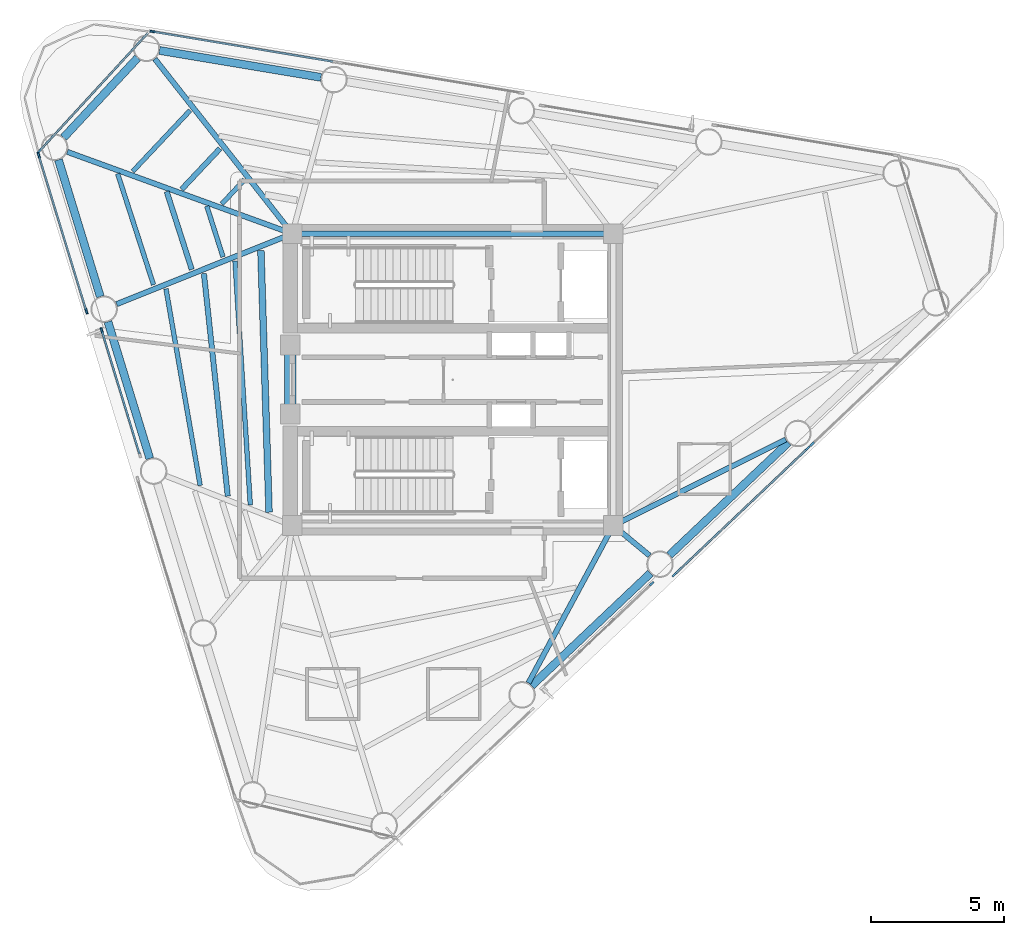
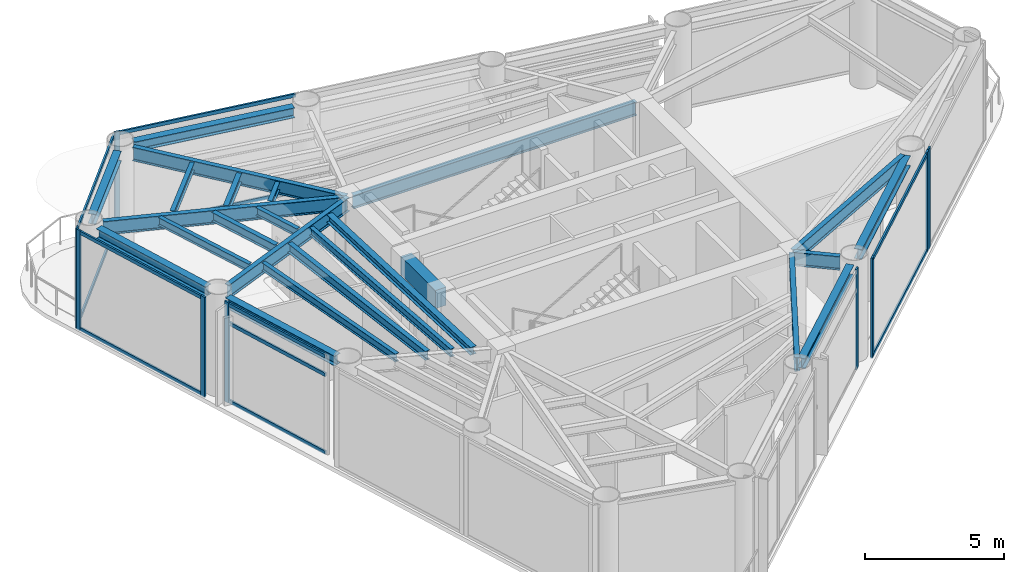
# One storey, part 3 of 11: 24 beams, 20 members, 7 elements without a shape of their own.
"""IFC4 building model written with IfcOpenShell, lengths in metres."""

from ifc_helpers import new_model, si_unit, direction, frame, origin, origin_2d, place, context, subcontext, project, spatial, rectangle, i_section, extrude, source, transform, mapped, material, layer, layer_set, material_profile, profile_set, type_object, element, aggregate, save


model = new_model("IFC4")

# Units and contexts
model_context = context("Model", 3, precision=1e-05, world=origin(), true_north=direction((0.0, 1.0)))
body_context = subcontext(model_context, "Body", "Model", "MODEL_VIEW")
ifc_project = project(units=[si_unit("LENGTHUNIT", "METRE"), si_unit("AREAUNIT", "SQUARE_METRE"), si_unit("VOLUMEUNIT", "CUBIC_METRE"), si_unit("PLANEANGLEUNIT", "RADIAN"), si_unit("MASSUNIT", "GRAM", prefix="KILO")], contexts=[model_context])

# Site, building, storey
site_placement = place(None, origin())
site = spatial("IfcSite", under=ifc_project, at=site_placement, CompositionType="ELEMENT")
building_placement = place(site_placement, origin())
building = spatial("IfcBuilding", under=site, at=building_placement, Name="Yunling Apex Tower", CompositionType="ELEMENT")
storey_placement = place(building_placement, frame((0.0, 0.0, 224.14990234375)))
storey = spatial("IfcBuildingStorey", under=building, at=storey_placement, Name="L54", CompositionType="ELEMENT", Elevation=224.14990234375)

# Beams
ifc_material_1 = material(Name="Concrete C40", Category="concrete")
ifc_material_profile_1 = material_profile(ifc_material_1, rectangle(XDim=0.449951171875, YDim=0.800048828125, at=origin_2d()))
ifc_profile_set_1 = profile_set([ifc_material_profile_1], Name="Concrete C40")
beam_type_1 = type_object("IfcBeamType", Name="BC-CPL-3", PredefinedType="BEAM", material=ifc_profile_set_1)
shared_shape_1 = source(origin(), body_context, "Body", "SweptSolid", [
    extrude(rectangle(XDim=0.449951171875, YDim=0.800048828125, at=origin_2d()), origin(), (0.0, 0.0, 1.0), 2.5),
])
beam_1_placement = place(storey_placement, frame((-6.125, -1.25, 3.920166015625), z_axis=(0.0, 1.0, 0.0), x_axis=(-1.0, 0.0, 0.0)))
element("IfcBeam", 1, at=beam_1_placement, inside=storey, type_object=beam_type_1, Name="L54 Core West Portal Coupling Beam", PredefinedType="BEAM", context=body_context, shape_type="MappedRepresentation", body=[
    mapped(shared_shape_1, transform((0.0, 0.0, 0.0), scale=1.0)),
])
ifc_material_2 = material(Name="Steel Q355B", Category="steel")
ifc_material_profile_2 = material_profile(ifc_material_2, i_section(OverallWidth=0.199951171875, OverallDepth=0.60009765625, WebThickness=0.010986328125, FlangeThickness=0.01708984375, FilletRadius=0.02197265625, at=origin_2d()))
ifc_profile_set_2 = profile_set([ifc_material_profile_2], Name="Steel Q355B")
beam_type_2 = type_object("IfcBeamType", Name="BG-PRI-5", PredefinedType="USERDEFINED", material=ifc_profile_set_2)
shared_shape_2 = source(origin(), body_context, "Body", "SweptSolid", [
    extrude(i_section(OverallWidth=0.199951171875, OverallDepth=0.60009765625, WebThickness=0.010986328125, FlangeThickness=0.01708984375, FilletRadius=0.02197265625, at=origin_2d()), origin(), (0.0, 0.0, 1.0), 11.7998046875),
])
beam_2_placement = place(storey_placement, frame((5.89990234375, 5.5, 4.02001953125), z_axis=(-1.0, 0.0, 0.0), x_axis=(0.0, -1.0, 0.0)))
element("IfcBeam", 2, at=beam_2_placement, inside=storey, type_object=beam_type_2, Name="L54 Core Ring Tie Beam 3", ObjectType="GIRDER", PredefinedType="USERDEFINED", context=body_context, shape_type="MappedRepresentation", body=[
    mapped(shared_shape_2, transform((0.0, 0.0, 0.0), scale=1.0)),
])
ifc_material_profile_3 = material_profile(ifc_material_2, i_section(OverallWidth=0.300048828125, OverallDepth=0.43994140625, WebThickness=0.010986328125, FlangeThickness=0.01806640625, FilletRadius=0.02197265625, at=origin_2d()))
ifc_profile_set_3 = profile_set([ifc_material_profile_3], Name="Steel Q355B")
beam_type_3 = type_object("IfcBeamType", Name="BP-SPN-3", PredefinedType="SPANDREL", material=ifc_profile_set_3)
shared_shape_3 = source(origin(), body_context, "Body", "SweptSolid", [
    extrude(i_section(OverallWidth=0.300048828125, OverallDepth=0.43994140625, WebThickness=0.010986328125, FlangeThickness=0.01806640625, FilletRadius=0.02197265625, at=origin_2d()), origin(), (0.0, 0.0, 1.0), 6.17333984375),
])
for number, where, z_axis, x_axis, name in (
    (3, (8.16748046875, -6.6162109375, 4.10009765625), (0.725853952128, 0.687848849807, 0.0), (-0.687848849807, 0.725853952128, 0.0), "L54 Perimeter Spandrel Beam 3"),
    (4, (-4.967041015625, 11.391845703125, 4.10009765625), (-0.986400336233, 0.164360508275, 0.0), (-0.164360508275, -0.986400336233, 0.0), "L54 Perimeter Spandrel Beam 9"),
):
    element("IfcBeam", number, at=place(storey_placement, frame(where, z_axis=z_axis, x_axis=x_axis)), inside=storey, type_object=beam_type_3, Name=name, PredefinedType="SPANDREL", context=body_context, shape_type="MappedRepresentation", body=[
        mapped(shared_shape_3, transform((0.0, 0.0, 0.0), scale=1.0)),
    ])
shared_shape_4 = source(origin(), body_context, "Body", "SweptSolid", [
    extrude(i_section(OverallWidth=0.300048828125, OverallDepth=0.43994140625, WebThickness=0.010986328125, FlangeThickness=0.01806640625, FilletRadius=0.02197265625, at=origin_2d()), origin(), (0.0, 0.0, 1.0), 6.173095703125),
])
beam_3_placement = place(storey_placement, frame((2.969482421875, -11.5419921875, 4.10009765625), z_axis=(0.725873697531, 0.687828012829, 0.0), x_axis=(-0.687828012829, 0.725873697531, 0.0)))
element("IfcBeam", 5, at=beam_3_placement, inside=storey, type_object=beam_type_3, Name="L54 Perimeter Spandrel Beam 2", PredefinedType="SPANDREL", context=body_context, shape_type="MappedRepresentation", body=[
    mapped(shared_shape_4, transform((0.0, 0.0, 0.0), scale=1.0)),
])
shared_shape_5 = source(origin(), body_context, "Body", "SweptSolid", [
    extrude(i_section(OverallWidth=0.300048828125, OverallDepth=0.43994140625, WebThickness=0.010986328125, FlangeThickness=0.01806640625, FilletRadius=0.02197265625, at=origin_2d()), origin(), (0.0, 0.0, 1.0), 4.1015625),
])
beam_4_placement = place(storey_placement, frame((-11.8798828125, 12.125732421875, 4.10009765625), z_axis=(-0.680585789197, -0.732668399443, 0.0), x_axis=(0.732668399443, -0.680585789197, 0.0)))
element("IfcBeam", 6, at=beam_4_placement, inside=storey, type_object=beam_type_3, Name="L54 Perimeter Spandrel Beam 10", PredefinedType="SPANDREL", context=body_context, shape_type="MappedRepresentation", body=[
    mapped(shared_shape_5, transform((0.0, 0.0, 0.0), scale=1.0)),
])
shared_shape_6 = source(origin(), body_context, "Body", "SweptSolid", [
    extrude(i_section(OverallWidth=0.300048828125, OverallDepth=0.43994140625, WebThickness=0.010986328125, FlangeThickness=0.01806640625, FilletRadius=0.02197265625, at=origin_2d()), origin(), (0.0, 0.0, 1.0), 5.39404296875),
])
for number, where, z_axis, x_axis, name in (
    (7, (-14.863037109375, 8.286376953125, 4.10009765625), (0.292393318538, -0.956298147689, 0.0), (0.956298147689, 0.292393318538, 0.0), "L54 Perimeter Spandrel Beam 11"),
    (8, (-12.997314453125, 2.183349609375, 4.10009765625), (0.292380663083, -0.956302017072, 0.0), (0.956302017072, 0.292380663083, 0.0), "L54 Perimeter Spandrel Beam 12"),
):
    element("IfcBeam", number, at=place(storey_placement, frame(where, z_axis=z_axis, x_axis=x_axis)), inside=storey, type_object=beam_type_3, Name=name, PredefinedType="SPANDREL", context=body_context, shape_type="MappedRepresentation", body=[
        mapped(shared_shape_6, transform((0.0, 0.0, 0.0), scale=1.0)),
    ])
shared_shape_7 = source(origin(), body_context, "Body", "SweptSolid", [
    extrude(i_section(OverallWidth=0.199951171875, OverallDepth=0.60009765625, WebThickness=0.010986328125, FlangeThickness=0.01708984375, FilletRadius=0.02197265625, at=origin_2d()), origin(), (0.0, 0.0, 1.0), 6.661865234375),
])
beam_5_placement = place(storey_placement, frame((2.851806640625, -11.434814453125, 4.02001953125), z_axis=(0.474372979845, 0.88032396082, 0.0), x_axis=(-0.88032396082, 0.474372979845, 0.0)))
element("IfcBeam", 9, at=beam_5_placement, inside=storey, type_object=beam_type_2, Name="L54 Radial Primary Girder R02", ObjectType="GIRDER", PredefinedType="USERDEFINED", context=body_context, shape_type="MappedRepresentation", body=[
    mapped(shared_shape_7, transform((0.0, 0.0, 0.0), scale=1.0)),
])
shared_shape_8 = source(origin(), body_context, "Body", "SweptSolid", [
    extrude(i_section(OverallWidth=0.199951171875, OverallDepth=0.60009765625, WebThickness=0.010986328125, FlangeThickness=0.01708984375, FilletRadius=0.02197265625, at=origin_2d()), origin(), (0.0, 0.0, 1.0), 1.695556640625),
])
beam_6_placement = place(storey_placement, frame((7.417724609375, -6.632080078125, 4.02001953125), z_axis=(-0.770365054174, 0.637603076614, 0.0), x_axis=(-0.637603076614, -0.770365054174, 0.0)))
element("IfcBeam", 10, at=beam_6_placement, inside=storey, type_object=beam_type_2, Name="L54 Radial Primary Girder R03", ObjectType="GIRDER", PredefinedType="USERDEFINED", context=body_context, shape_type="MappedRepresentation", body=[
    mapped(shared_shape_8, transform((0.0, 0.0, 0.0), scale=1.0)),
])
shared_shape_9 = source(origin(), body_context, "Body", "SweptSolid", [
    extrude(i_section(OverallWidth=0.199951171875, OverallDepth=0.60009765625, WebThickness=0.010986328125, FlangeThickness=0.01708984375, FilletRadius=0.02197265625, at=origin_2d()), origin(), (0.0, 0.0, 1.0), 7.1865234375),
])
beam_7_placement = place(storey_placement, frame((12.552490234375, -2.256591796875, 4.02001953125), z_axis=(-0.894854827722, -0.446357297803, 0.0), x_axis=(0.446357297803, -0.894854827722, 0.0)))
element("IfcBeam", 11, at=beam_7_placement, inside=storey, type_object=beam_type_2, Name="L54 Radial Primary Girder R04", ObjectType="GIRDER", PredefinedType="USERDEFINED", context=body_context, shape_type="MappedRepresentation", body=[
    mapped(shared_shape_9, transform((0.0, 0.0, 0.0), scale=1.0)),
])
shared_shape_10 = source(origin(), body_context, "Body", "SweptSolid", [
    extrude(i_section(OverallWidth=0.199951171875, OverallDepth=0.60009765625, WebThickness=0.010986328125, FlangeThickness=0.01708984375, FilletRadius=0.02197265625, at=origin_2d()), origin(), (0.0, 0.0, 1.0), 8.300537109375),
])
beam_8_placement = place(storey_placement, frame((-11.229736328125, 12.088134765625, 4.02001953125), z_axis=(0.618080016926, -0.786115190463, 0.0), x_axis=(0.786115190463, 0.618080016926, 0.0)))
element("IfcBeam", 12, at=beam_8_placement, inside=storey, type_object=beam_type_2, Name="L54 Radial Primary Girder R10", ObjectType="GIRDER", PredefinedType="USERDEFINED", context=body_context, shape_type="MappedRepresentation", body=[
    mapped(shared_shape_10, transform((0.0, 0.0, 0.0), scale=1.0)),
])
shared_shape_11 = source(origin(), body_context, "Body", "SweptSolid", [
    extrude(i_section(OverallWidth=0.199951171875, OverallDepth=0.60009765625, WebThickness=0.010986328125, FlangeThickness=0.01708984375, FilletRadius=0.02197265625, at=origin_2d()), origin(), (0.0, 0.0, 1.0), 8.943603515625),
])
beam_9_placement = place(storey_placement, frame((-14.530029296875, 8.5849609375, 4.02001953125), z_axis=(0.939745593755, -0.341874566205, 0.0), x_axis=(0.341874566205, 0.939745593755, 0.0)))
element("IfcBeam", 13, at=beam_9_placement, inside=storey, type_object=beam_type_2, Name="L54 Radial Primary Girder R11", ObjectType="GIRDER", PredefinedType="USERDEFINED", context=body_context, shape_type="MappedRepresentation", body=[
    mapped(shared_shape_11, transform((0.0, 0.0, 0.0), scale=1.0)),
])
shared_shape_12 = source(origin(), body_context, "Body", "SweptSolid", [
    extrude(i_section(OverallWidth=0.199951171875, OverallDepth=0.60009765625, WebThickness=0.010986328125, FlangeThickness=0.01708984375, FilletRadius=0.02197265625, at=origin_2d()), origin(), (0.0, 0.0, 1.0), 7.052734375),
])
beam_10_placement = place(storey_placement, frame((-12.670166015625, 2.8447265625, 4.02001953125), z_axis=(0.928127733356, 0.372261884399, 0.0), x_axis=(-0.372261884399, 0.928127733356, 0.0)))
element("IfcBeam", 14, at=beam_10_placement, inside=storey, type_object=beam_type_2, Name="L54 Radial Primary Girder R12", ObjectType="GIRDER", PredefinedType="USERDEFINED", context=body_context, shape_type="MappedRepresentation", body=[
    mapped(shared_shape_12, transform((0.0, 0.0, 0.0), scale=1.0)),
])
ifc_material_profile_4 = material_profile(ifc_material_2, i_section(OverallWidth=0.199951171875, OverallDepth=0.39990234375, WebThickness=0.008056640625, FlangeThickness=0.012939453125, FilletRadius=0.01611328125, at=origin_2d()))
ifc_profile_set_4 = profile_set([ifc_material_profile_4], Name="Steel Q355B")
beam_type_4 = type_object("IfcBeamType", Name="BS-SEC-4", PredefinedType="BEAM", material=ifc_profile_set_4)
shared_shape_13 = source(origin(), body_context, "Body", "SweptSolid", [
    extrude(i_section(OverallWidth=0.199951171875, OverallDepth=0.39990234375, WebThickness=0.008056640625, FlangeThickness=0.012939453125, FilletRadius=0.01611328125, at=origin_2d()), origin(), (0.0, 0.0, 1.0), 2.108154296875),
])
beam_11_placement = place(storey_placement, frame((-8.774169921875, 8.708984375, 4.1201171875), z_axis=(-0.684880497063, -0.728655408779, 0.0), x_axis=(0.728655408779, -0.684880497063, 0.0)))
element("IfcBeam", 15, at=beam_11_placement, inside=storey, type_object=beam_type_4, Name="L54 Composite Floor Beam BS-10", PredefinedType="BEAM", context=body_context, shape_type="MappedRepresentation", body=[
    mapped(shared_shape_13, transform((0.0, 0.0, 0.0), scale=1.0)),
])
ifc_material_profile_5 = material_profile(ifc_material_2, i_section(OverallWidth=0.175048828125, OverallDepth=0.35009765625, WebThickness=0.007080078125, FlangeThickness=0.010986328125, FilletRadius=0.013916015625, at=origin_2d()))
ifc_profile_set_5 = profile_set([ifc_material_profile_5], Name="Steel Q355B")
beam_type_5 = type_object("IfcBeamType", Name="BJ-JST-1", PredefinedType="JOIST", material=ifc_profile_set_5)
shared_shape_14 = source(origin(), body_context, "Body", "SweptSolid", [
    extrude(i_section(OverallWidth=0.175048828125, OverallDepth=0.35009765625, WebThickness=0.007080078125, FlangeThickness=0.010986328125, FilletRadius=0.013916015625, at=origin_2d()), origin(), (0.0, 0.0, 1.0), 3.157470703125),
])
beam_12_placement = place(storey_placement, frame((-9.903076171875, 10.14453125, 4.14501953125), z_axis=(-0.685403289292, -0.728163670494, 0.0), x_axis=(0.728163670494, -0.685403289292, 0.0)))
element("IfcBeam", 16, at=beam_12_placement, inside=storey, type_object=beam_type_5, Name="L54 Composite Floor Joist BJ1-10", PredefinedType="JOIST", context=body_context, shape_type="MappedRepresentation", body=[
    mapped(shared_shape_14, transform((0.0, 0.0, 0.0), scale=1.0)),
])
shared_shape_15 = source(origin(), body_context, "Body", "SweptSolid", [
    extrude(i_section(OverallWidth=0.175048828125, OverallDepth=0.35009765625, WebThickness=0.007080078125, FlangeThickness=0.010986328125, FilletRadius=0.013916015625, at=origin_2d()), origin(), (0.0, 0.0, 1.0), 1.249755859375),
])
beam_13_placement = place(storey_placement, frame((-7.8505859375, 7.5341796875, 4.14501953125), z_axis=(-0.683980120085, -0.729500647929, 0.0), x_axis=(0.729500647929, -0.683980120085, 0.0)))
element("IfcBeam", 17, at=beam_13_placement, inside=storey, type_object=beam_type_5, Name="L54 Composite Floor Joist BJ3-10", PredefinedType="JOIST", context=body_context, shape_type="MappedRepresentation", body=[
    mapped(shared_shape_15, transform((0.0, 0.0, 0.0), scale=1.0)),
])
shared_shape_16 = source(origin(), body_context, "Body", "SweptSolid", [
    extrude(i_section(OverallWidth=0.199951171875, OverallDepth=0.39990234375, WebThickness=0.008056640625, FlangeThickness=0.012939453125, FilletRadius=0.01611328125, at=origin_2d()), origin(), (0.0, 0.0, 1.0), 3.083251953125),
])
beam_14_placement = place(storey_placement, frame((-10.782958984375, 7.08740234375, 4.1201171875), z_axis=(0.306209104811, -0.951964276709, 0.0), x_axis=(0.951964276709, 0.306209104811, 0.0)))
element("IfcBeam", 18, at=beam_14_placement, inside=storey, type_object=beam_type_4, Name="L54 Composite Floor Beam BS-11", PredefinedType="BEAM", context=body_context, shape_type="MappedRepresentation", body=[
    mapped(shared_shape_16, transform((0.0, 0.0, 0.0), scale=1.0)),
])
shared_shape_17 = source(origin(), body_context, "Body", "SweptSolid", [
    extrude(i_section(OverallWidth=0.175048828125, OverallDepth=0.35009765625, WebThickness=0.007080078125, FlangeThickness=0.010986328125, FilletRadius=0.013916015625, at=origin_2d()), origin(), (0.0, 0.0, 1.0), 4.3984375),
])
beam_15_placement = place(storey_placement, frame((-12.6318359375, 7.760009765625, 4.14501953125), z_axis=(0.307505485962, -0.951546307913, 0.0), x_axis=(0.951546307913, 0.307505485962, 0.0)))
element("IfcBeam", 19, at=beam_15_placement, inside=storey, type_object=beam_type_5, Name="L54 Composite Floor Joist BJ1-11", PredefinedType="JOIST", context=body_context, shape_type="MappedRepresentation", body=[
    mapped(shared_shape_17, transform((0.0, 0.0, 0.0), scale=1.0)),
])
shared_shape_18 = source(origin(), body_context, "Body", "SweptSolid", [
    extrude(i_section(OverallWidth=0.175048828125, OverallDepth=0.35009765625, WebThickness=0.007080078125, FlangeThickness=0.010986328125, FilletRadius=0.013916015625, at=origin_2d()), origin(), (0.0, 0.0, 1.0), 2.0068359375),
])
beam_16_placement = place(storey_placement, frame((-9.2705078125, 6.536865234375, 4.14501953125), z_axis=(0.304011984445, -0.95266820736, 0.0), x_axis=(0.95266820736, 0.304011984445, 0.0)))
element("IfcBeam", 20, at=beam_16_placement, inside=storey, type_object=beam_type_5, Name="L54 Composite Floor Joist BJ3-11", PredefinedType="JOIST", context=body_context, shape_type="MappedRepresentation", body=[
    mapped(shared_shape_18, transform((0.0, 0.0, 0.0), scale=1.0)),
])
shared_shape_19 = source(origin(), body_context, "Body", "SweptSolid", [
    extrude(i_section(OverallWidth=0.199951171875, OverallDepth=0.39990234375, WebThickness=0.008056640625, FlangeThickness=0.012939453125, FilletRadius=0.01611328125, at=origin_2d()), origin(), (0.0, 0.0, 1.0), 8.439208984375),
])
beam_17_placement = place(storey_placement, frame((-9.380126953125, 3.998291015625, 4.1201171875), z_axis=(0.106576025189, -0.994304556389, 0.0), x_axis=(0.994304556389, 0.106576025189, 0.0)))
element("IfcBeam", 21, at=beam_17_placement, inside=storey, type_object=beam_type_4, Name="L54 Composite Floor Beam BS-12", PredefinedType="BEAM", context=body_context, shape_type="MappedRepresentation", body=[
    mapped(shared_shape_19, transform((0.0, 0.0, 0.0), scale=1.0)),
])
shared_shape_20 = source(origin(), body_context, "Body", "SweptSolid", [
    extrude(i_section(OverallWidth=0.175048828125, OverallDepth=0.35009765625, WebThickness=0.007080078125, FlangeThickness=0.010986328125, FilletRadius=0.013916015625, at=origin_2d()), origin(), (0.0, 0.0, 1.0), 7.523681640625),
])
beam_18_placement = place(storey_placement, frame((-10.809814453125, 3.42236328125, 4.14501953125), z_axis=(0.171367194042, -0.985207229372, 0.0), x_axis=(0.985207229372, 0.171367194042, 0.0)))
element("IfcBeam", 22, at=beam_18_placement, inside=storey, type_object=beam_type_5, Name="L54 Composite Floor Joist BJ1-12", PredefinedType="JOIST", context=body_context, shape_type="MappedRepresentation", body=[
    mapped(shared_shape_20, transform((0.0, 0.0, 0.0), scale=1.0)),
])
shared_shape_21 = source(origin(), body_context, "Body", "SweptSolid", [
    extrude(i_section(OverallWidth=0.175048828125, OverallDepth=0.35009765625, WebThickness=0.007080078125, FlangeThickness=0.010986328125, FilletRadius=0.013916015625, at=origin_2d()), origin(), (0.0, 0.0, 1.0), 9.211669921875),
])
beam_19_placement = place(storey_placement, frame((-8.208984375, 4.470458984375, 4.14501953125), z_axis=(0.062680234959, -0.998033660828, 0.0), x_axis=(0.998033660828, 0.062680234959, 0.0)))
element("IfcBeam", 23, at=beam_19_placement, inside=storey, type_object=beam_type_5, Name="L54 Composite Floor Joist BJ3-12", PredefinedType="JOIST", context=body_context, shape_type="MappedRepresentation", body=[
    mapped(shared_shape_21, transform((0.0, 0.0, 0.0), scale=1.0)),
])
ifc_material_profile_6 = material_profile(ifc_material_2, i_section(OverallWidth=0.25, OverallDepth=0.340087890625, WebThickness=0.009033203125, FlangeThickness=0.013916015625, FilletRadius=0.01806640625, at=origin_2d()))
ifc_profile_set_6 = profile_set([ifc_material_profile_6], Name="Steel Q355B")
beam_type_6 = type_object("IfcBeamType", Name="BJ-JST-2", PredefinedType="JOIST", material=ifc_profile_set_6)
shared_shape_22 = source(origin(), body_context, "Body", "SweptSolid", [
    extrude(i_section(OverallWidth=0.25, OverallDepth=0.340087890625, WebThickness=0.009033203125, FlangeThickness=0.013916015625, FilletRadius=0.01806640625, at=origin_2d()), origin(), (0.0, 0.0, 1.0), 9.867431640625),
])
beam_20_placement = place(storey_placement, frame((-7.232177734375, 4.864013671875, 4.150146484375), z_axis=(0.03115055603, -0.999514703673, 0.0), x_axis=(0.999514703673, 0.03115055603, 0.0)))
element("IfcBeam", 24, at=beam_20_placement, inside=storey, type_object=beam_type_6, Name="L54 Composite Floor Joist BJ2-12", PredefinedType="JOIST", context=body_context, shape_type="MappedRepresentation", body=[
    mapped(shared_shape_22, transform((0.0, 0.0, 0.0), scale=1.0)),
])

# Curtain wall, member
ifc_material_3 = material(Name="Bronze anodised aluminium", Category="aluminium")
ifc_layer = layer(ifc_material_3, 0.199951171875)
ifc_layer_set = layer_set([ifc_layer], Name="Bronze anodised aluminium")
curtain_wall_type = type_object("IfcCurtainWallType", Name="CW-SYS-5", PredefinedType="NOTDEFINED", material=ifc_layer_set)
curtain_wall_1_placement = place(storey_placement, origin())
curtain_wall_1 = element("IfcCurtainWall", 25, at=curtain_wall_1_placement, inside=storey, type_object=curtain_wall_type, Name="CW-L54-F1-B2", PredefinedType="NOTDEFINED")
ifc_material_profile_7 = material_profile(ifc_material_3, rectangle(XDim=0.074951171875, YDim=0.199951171875, at=origin_2d()))
ifc_profile_set_7 = profile_set([ifc_material_profile_7], Name="Bronze anodised aluminium")
member_type_1 = type_object("IfcMemberType", Name="CW-MUL-5", PredefinedType="MULLION", material=ifc_profile_set_7)
shared_shape_23 = source(origin(), body_context, "Body", "SweptSolid", [
    extrude(rectangle(XDim=0.074951171875, YDim=0.199951171875, at=origin_2d()), origin(), (0.0, 0.0, 1.0), 4.419921875),
])
member_1_placement = place(storey_placement, frame((7.49365234375, -7.695556640625, -0.0498046875), z_axis=(0.0, 0.0, 1.0), x_axis=(-0.687854406681, 0.725848686167, 0.0)))
member_1 = element("IfcMember", 26, at=member_1_placement, type_object=member_type_1, Name="CW-SYS-5 mullion 2", PredefinedType="MULLION", context=body_context, shape_type="MappedRepresentation", body=[
    mapped(shared_shape_23, transform((0.0, 0.0, 0.0), scale=1.0)),
])
aggregate(curtain_wall_1, [member_1])

# Curtain wall, members
curtain_wall_2_placement = place(storey_placement, origin())
curtain_wall_2 = element("IfcCurtainWall", 27, at=curtain_wall_2_placement, inside=storey, type_object=curtain_wall_type, Name="CW-L54-F1-B3", PredefinedType="NOTDEFINED")
member_2_placement = place(storey_placement, frame((8.34814453125, -7.354248046875, -0.0498046875), z_axis=(0.0, 0.0, 1.0), x_axis=(-0.687848040467, 0.72585471909, 0.0)))
member_2 = element("IfcMember", 28, at=member_2_placement, type_object=member_type_1, Name="CW-SYS-5 mullion 1", PredefinedType="MULLION", context=body_context, shape_type="MappedRepresentation", body=[
    mapped(shared_shape_23, transform((0.0, 0.0, 0.0), scale=1.0)),
])
member_3_placement = place(storey_placement, frame((13.375732421875, -2.58984375, -0.0498046875), z_axis=(0.0, 0.0, 1.0), x_axis=(-0.687848040467, 0.72585471909, 0.0)))
member_3 = element("IfcMember", 29, at=member_3_placement, type_object=member_type_1, Name="CW-SYS-5 mullion 2", PredefinedType="MULLION", context=body_context, shape_type="MappedRepresentation", body=[
    mapped(shared_shape_23, transform((0.0, 0.0, 0.0), scale=1.0)),
])

# Curtain wall, member
curtain_wall_3_placement = place(storey_placement, origin())
curtain_wall_3 = element("IfcCurtainWall", 30, at=curtain_wall_3_placement, inside=storey, type_object=curtain_wall_type, Name="CW-L54-F1-B4", PredefinedType="NOTDEFINED")
member_4_placement = place(storey_placement, frame((13.54638671875, -2.42822265625, -0.0498046875), z_axis=(0.0, 0.0, 1.0), x_axis=(-0.687848040467, 0.72585471909, 0.0)))
member_4 = element("IfcMember", 31, at=member_4_placement, type_object=member_type_1, Name="CW-SYS-5 mullion 1", PredefinedType="MULLION", context=body_context, shape_type="MappedRepresentation", body=[
    mapped(shared_shape_23, transform((0.0, 0.0, 0.0), scale=1.0)),
])
aggregate(curtain_wall_3, [member_4])

curtain_wall_4_placement = place(storey_placement, origin())
curtain_wall_4 = element("IfcCurtainWall", 32, at=curtain_wall_4_placement, inside=storey, type_object=curtain_wall_type, Name="CW-L54-F2-B4", PredefinedType="NOTDEFINED")
member_5_placement = place(storey_placement, frame((-11.3193359375, 13.119384765625, -0.0498046875), z_axis=(0.0, 0.0, 1.0), x_axis=(-0.164352664392, -0.9864016432, 0.0)))
member_5 = element("IfcMember", 33, at=member_5_placement, type_object=member_type_1, Name="CW-SYS-5 mullion 2", PredefinedType="MULLION", context=body_context, shape_type="MappedRepresentation", body=[
    mapped(shared_shape_23, transform((0.0, 0.0, 0.0), scale=1.0)),
])

curtain_wall_5_placement = place(storey_placement, origin())
curtain_wall_5 = element("IfcCurtainWall", 34, at=curtain_wall_5_placement, inside=storey, type_object=curtain_wall_type, Name="CW-L54-CRN2", PredefinedType="NOTDEFINED")
member_6_placement = place(storey_placement, frame((-15.59423828125, 8.59912109375, -0.0498046875), z_axis=(0.0, 0.0, 1.0), x_axis=(0.736133922549, -0.676835909266, 0.0)))
member_6 = element("IfcMember", 35, at=member_6_placement, type_object=member_type_1, Name="CW-SYS-5 mullion 2", PredefinedType="MULLION", context=body_context, shape_type="MappedRepresentation", body=[
    mapped(shared_shape_23, transform((0.0, 0.0, 0.0), scale=1.0)),
])

# Curtain wall, members
curtain_wall_6_placement = place(storey_placement, origin())
curtain_wall_6 = element("IfcCurtainWall", 36, at=curtain_wall_6_placement, inside=storey, type_object=curtain_wall_type, Name="CW-L54-F3-B1", PredefinedType="NOTDEFINED")
member_7_placement = place(storey_placement, frame((-15.604248046875, 8.453369140625, -0.0498046875), z_axis=(0.0, 0.0, 1.0), x_axis=(0.956304646078, 0.29237206414, 0.0)))
member_7 = element("IfcMember", 37, at=member_7_placement, type_object=member_type_1, Name="CW-SYS-5 mullion 1", PredefinedType="MULLION", context=body_context, shape_type="MappedRepresentation", body=[
    mapped(shared_shape_23, transform((0.0, 0.0, 0.0), scale=1.0)),
])
member_8_placement = place(storey_placement, frame((-13.80712890625, 2.574951171875, -0.0498046875), z_axis=(0.0, 0.0, 1.0), x_axis=(0.956304646078, 0.29237206414, 0.0)))
member_8 = element("IfcMember", 38, at=member_8_placement, type_object=member_type_1, Name="CW-SYS-5 mullion 2", PredefinedType="MULLION", context=body_context, shape_type="MappedRepresentation", body=[
    mapped(shared_shape_23, transform((0.0, 0.0, 0.0), scale=1.0)),
])

# Curtain wall, member
curtain_wall_7_placement = place(storey_placement, origin())
curtain_wall_7 = element("IfcCurtainWall", 39, at=curtain_wall_7_placement, inside=storey, type_object=curtain_wall_type, Name="CW-L54-F3-B2", PredefinedType="NOTDEFINED")
member_9_placement = place(storey_placement, frame((-13.23193359375, 1.85693359375, -0.0498046875), z_axis=(0.0, 0.0, 1.0), x_axis=(0.956304345474, 0.29237304737, 0.0)))
member_9 = element("IfcMember", 40, at=member_9_placement, type_object=member_type_1, Name="CW-SYS-5 mullion 1", PredefinedType="MULLION", context=body_context, shape_type="MappedRepresentation", body=[
    mapped(shared_shape_23, transform((0.0, 0.0, 0.0), scale=1.0)),
])

# Member
ifc_material_profile_8 = material_profile(ifc_material_3, rectangle(XDim=0.074951171875, YDim=0.155029296875, at=origin_2d()))
ifc_profile_set_8 = profile_set([ifc_material_profile_8], Name="Bronze anodised aluminium")
member_type_2 = type_object("IfcMemberType", Name="CW-TRN-5", PredefinedType="USERDEFINED", material=ifc_profile_set_8)
shared_shape_24 = source(origin(), body_context, "Body", "SweptSolid", [
    extrude(rectangle(XDim=0.074951171875, YDim=0.155029296875, at=origin_2d()), origin(), (0.0, 0.0, 1.0), 6.85888671875),
])
member_10_placement = place(storey_placement, frame((8.372802734375, -7.3310546875, 0.03759765625), z_axis=(0.725841370394, 0.687862126465, 0.0), x_axis=(-0.687862126465, 0.725841370394, 0.0)))
member_10 = element("IfcMember", 41, at=member_10_placement, type_object=member_type_2, Name="CW-SYS-5 transom 1.1", ObjectType="TRANSOM", PredefinedType="USERDEFINED", context=body_context, shape_type="MappedRepresentation", body=[
    mapped(shared_shape_24, transform((0.0, 0.0, 0.0), scale=1.0)),
])

member_11_placement = place(storey_placement, frame((8.372802734375, -7.3310546875, 4.28271484375), z_axis=(0.725841370394, 0.687862126465, 0.0), x_axis=(-0.687862126465, 0.725841370394, 0.0)))
member_11 = element("IfcMember", 42, at=member_11_placement, type_object=member_type_2, Name="CW-SYS-5 transom 1.2", ObjectType="TRANSOM", PredefinedType="USERDEFINED", context=body_context, shape_type="MappedRepresentation", body=[
    mapped(shared_shape_24, transform((0.0, 0.0, 0.0), scale=1.0)),
])

aggregate(curtain_wall_2, [member_2, member_3, member_10, member_11])

member_12_placement = place(storey_placement, frame((-4.5205078125, 11.986572265625, 0.03759765625), z_axis=(-0.986403542364, 0.164341265701, 0.0), x_axis=(-0.164341265701, -0.986403542364, 0.0)))
member_12 = element("IfcMember", 43, at=member_12_placement, type_object=member_type_2, Name="CW-SYS-5 transom 1.1", ObjectType="TRANSOM", PredefinedType="USERDEFINED", context=body_context, shape_type="MappedRepresentation", body=[
    mapped(shared_shape_24, transform((0.0, 0.0, 0.0), scale=1.0)),
])

member_13_placement = place(storey_placement, frame((-4.5205078125, 11.986572265625, 4.28271484375), z_axis=(-0.986403542364, 0.164341265701, 0.0), x_axis=(-0.164341265701, -0.986403542364, 0.0)))
member_13 = element("IfcMember", 44, at=member_13_placement, type_object=member_type_2, Name="CW-SYS-5 transom 1.2", ObjectType="TRANSOM", PredefinedType="USERDEFINED", context=body_context, shape_type="MappedRepresentation", body=[
    mapped(shared_shape_24, transform((0.0, 0.0, 0.0), scale=1.0)),
])

aggregate(curtain_wall_4, [member_5, member_12, member_13])

shared_shape_25 = source(origin(), body_context, "Body", "SweptSolid", [
    extrude(rectangle(XDim=0.074951171875, YDim=0.155029296875, at=origin_2d()), origin(), (0.0, 0.0, 1.0), 6.03466796875),
])
member_14_placement = place(storey_placement, frame((-11.48681640625, 13.06640625, 0.03759765625), z_axis=(-0.67683037947, -0.736139006864, 0.0), x_axis=(0.736139006864, -0.67683037947, 0.0)))
member_14 = element("IfcMember", 45, at=member_14_placement, type_object=member_type_2, Name="CW-SYS-5 transom 1.1", ObjectType="TRANSOM", PredefinedType="USERDEFINED", context=body_context, shape_type="MappedRepresentation", body=[
    mapped(shared_shape_25, transform((0.0, 0.0, 0.0), scale=1.0)),
])

member_15_placement = place(storey_placement, frame((-11.48681640625, 13.06640625, 4.28271484375), z_axis=(-0.67683037947, -0.736139006864, 0.0), x_axis=(0.736139006864, -0.67683037947, 0.0)))
member_15 = element("IfcMember", 46, at=member_15_placement, type_object=member_type_2, Name="CW-SYS-5 transom 1.2", ObjectType="TRANSOM", PredefinedType="USERDEFINED", context=body_context, shape_type="MappedRepresentation", body=[
    mapped(shared_shape_25, transform((0.0, 0.0, 0.0), scale=1.0)),
])

aggregate(curtain_wall_5, [member_6, member_14, member_15])

shared_shape_26 = source(origin(), body_context, "Body", "SweptSolid", [
    extrude(rectangle(XDim=0.074951171875, YDim=0.155029296875, at=origin_2d()), origin(), (0.0, 0.0, 1.0), 6.079345703125),
])
member_16_placement = place(storey_placement, frame((-15.594482421875, 8.421142578125, 0.03759765625), z_axis=(0.292358309982, -0.956308851044, 0.0), x_axis=(0.956308851044, 0.292358309982, 0.0)))
member_16 = element("IfcMember", 47, at=member_16_placement, type_object=member_type_2, Name="CW-SYS-5 transom 1.1", ObjectType="TRANSOM", PredefinedType="USERDEFINED", context=body_context, shape_type="MappedRepresentation", body=[
    mapped(shared_shape_26, transform((0.0, 0.0, 0.0), scale=1.0)),
])

member_17_placement = place(storey_placement, frame((-15.594482421875, 8.421142578125, 4.28271484375), z_axis=(0.292358309982, -0.956308851044, 0.0), x_axis=(0.956308851044, 0.292358309982, 0.0)))
member_17 = element("IfcMember", 48, at=member_17_placement, type_object=member_type_2, Name="CW-SYS-5 transom 1.2", ObjectType="TRANSOM", PredefinedType="USERDEFINED", context=body_context, shape_type="MappedRepresentation", body=[
    mapped(shared_shape_26, transform((0.0, 0.0, 0.0), scale=1.0)),
])

aggregate(curtain_wall_6, [member_7, member_8, member_16, member_17])

shared_shape_27 = source(origin(), body_context, "Body", "SweptSolid", [
    extrude(rectangle(XDim=0.074951171875, YDim=0.155029296875, at=origin_2d()), origin(), (0.0, 0.0, 1.0), 4.83935546875),
])
member_18_placement = place(storey_placement, frame((-13.22216796875, 1.824462890625, 0.03759765625), z_axis=(0.292397965248, -0.956296726921, 0.0), x_axis=(0.956296726921, 0.292397965248, 0.0)))
member_18 = element("IfcMember", 49, at=member_18_placement, type_object=member_type_2, Name="CW-SYS-5 transom 1.1", ObjectType="TRANSOM", PredefinedType="USERDEFINED", context=body_context, shape_type="MappedRepresentation", body=[
    mapped(shared_shape_27, transform((0.0, 0.0, 0.0), scale=1.0)),
])

member_19_placement = place(storey_placement, frame((-13.22216796875, 1.824462890625, 3.47021484375), z_axis=(0.292397965248, -0.956296726921, 0.0), x_axis=(0.956296726921, 0.292397965248, 0.0)))
member_19 = element("IfcMember", 50, at=member_19_placement, type_object=member_type_2, Name="CW-SYS-5 transom 1.2", ObjectType="TRANSOM", PredefinedType="USERDEFINED", context=body_context, shape_type="MappedRepresentation", body=[
    mapped(shared_shape_27, transform((0.0, 0.0, 0.0), scale=1.0)),
])

member_20_placement = place(storey_placement, frame((-13.22216796875, 1.824462890625, 4.28271484375), z_axis=(0.292397965248, -0.956296726921, 0.0), x_axis=(0.956296726921, 0.292397965248, 0.0)))
member_20 = element("IfcMember", 51, at=member_20_placement, type_object=member_type_2, Name="CW-SYS-5 transom 1.3", ObjectType="TRANSOM", PredefinedType="USERDEFINED", context=body_context, shape_type="MappedRepresentation", body=[
    mapped(shared_shape_27, transform((0.0, 0.0, 0.0), scale=1.0)),
])

aggregate(curtain_wall_7, [member_9, member_18, member_19, member_20])

save(model, "model.ifc")
